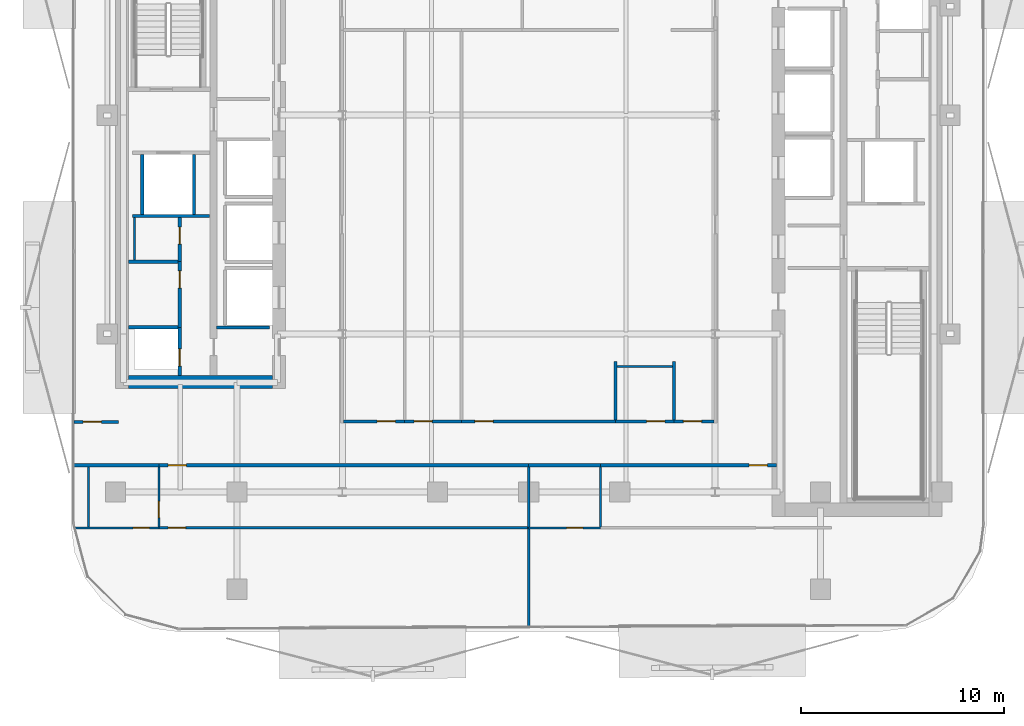
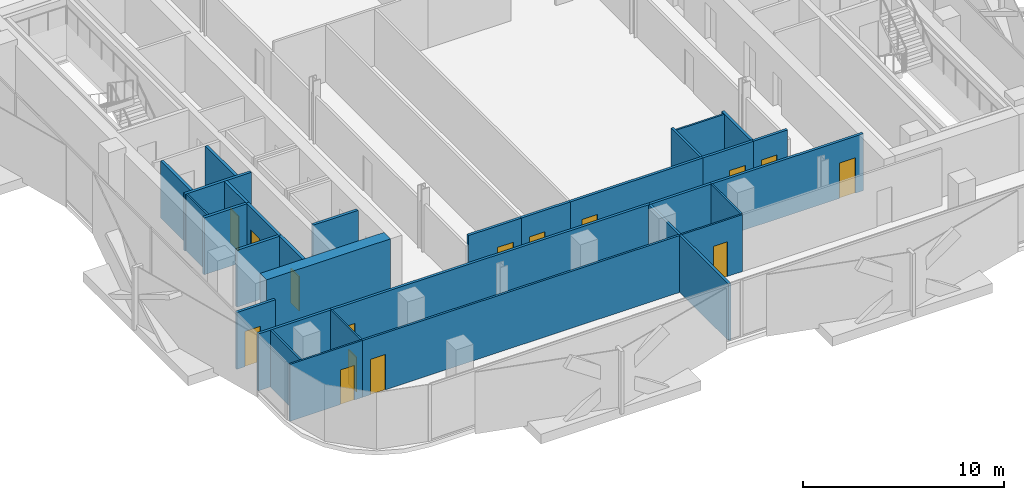
# One storey, part 3 of 17: 32 walls, 15 doors, 15 openings.
"""IFC4 building model written with IfcOpenShell, lengths in metres."""

from ifc_helpers import new_model, si_unit, direction, frame, frame_2d, origin, place, context, subcontext, project, spatial, rectangle, extrude, material, layer, layer_set, type_object, element, fill, save


model = new_model("IFC4")

# Units and contexts
model_context = context("Model", 3, precision=1e-05, world=origin(), true_north=direction((0.0, 1.0)))
body_context = subcontext(model_context, "Body", "Model", "MODEL_VIEW")
ifc_project = project(units=[si_unit("LENGTHUNIT", "METRE"), si_unit("AREAUNIT", "SQUARE_METRE"), si_unit("VOLUMEUNIT", "CUBIC_METRE"), si_unit("PLANEANGLEUNIT", "RADIAN"), si_unit("MASSUNIT", "GRAM", prefix="KILO")], contexts=[model_context])

# Site, building, storey
site_placement = place(None, origin())
site = spatial("IfcSite", under=ifc_project, at=site_placement, CompositionType="ELEMENT")
building_placement = place(site_placement, origin())
building = spatial("IfcBuilding", under=site, at=building_placement, Name="Khairoan Windgate Tower", CompositionType="ELEMENT")
storey_placement = place(building_placement, frame((0.0, 0.0, 210.60009765625)))
storey = spatial("IfcBuildingStorey", under=building, at=storey_placement, Name="L49", CompositionType="ELEMENT", Elevation=210.60009765625)

# Wall, opening, door
ifc_material_1 = material(Name="Moisture-Resistant Gypsum Partition", Category="gypsum")
ifc_layer_1 = layer(ifc_material_1, 0.10009765625, Name="Moisture-Resistant Gypsum Partition")
ifc_layer_set_1 = layer_set([ifc_layer_1], Name="Moisture-Resistant Gypsum Partition")
wall_type_1 = type_object("IfcWallType", Name="Bathroom Wet-Area Partition Wall", PredefinedType="PARTITIONING", material=ifc_layer_set_1)
wall_1_placement = place(storey_placement, frame((-18.260009765625, -20.320068359375, 0.0), z_axis=(0.0, 0.0, 1.0), x_axis=(0.0, 1.0, 0.0)))
wall_1 = element("IfcWall", 1, at=wall_1_placement, inside=storey, type_object=wall_type_1, Name="L49 Interior Partition 060", PredefinedType="PARTITIONING", context=body_context, shape_type="SweptSolid", body=[
    extrude(rectangle(XDim=2.965087890625, YDim=0.10009765625, at=frame_2d((1.482421875, 0.0))), origin(), (0.0, 0.0, 1.0), 3.449951171875),
])
opening_1_placement = place(wall_1_placement, frame((0.4599609375, 0.0, 0.0)))
opening_1 = element("IfcOpeningElement", 2, at=opening_1_placement, cuts=wall_1, Name="Opening ID-BTH", PredefinedType="OPENING", context=body_context, shape_type="SweptSolid", body=[
    extrude(rectangle(XDim=0.800048828125, YDim=2.10009765625, at=frame_2d((0.39990234375, 1.050048828125))), frame((0.0, 0.06005859375, 0.0), z_axis=(0.0, -1.0, 0.0), x_axis=(1.0, 0.0, 0.0)), (0.0, 0.0, 1.0), 0.1201171875),
])
ifc_material_2 = material(Name="Teak Veneer Timber Leaf", Category="wood")
door_type_1 = type_object("IfcDoorType", Name="Internal Bathroom Door ID-BTH 800x2100", OperationType="NOTDEFINED", PredefinedType="DOOR", material=ifc_material_2)
door_1_placement = place(opening_1_placement, origin())
door_1 = element("IfcDoor", 3, at=door_1_placement, inside=storey, type_object=door_type_1, Name="L49 L49-48-L49-49 Door", OperationType="SINGLE_SWING_LEFT", OverallHeight=2.10009765625, OverallWidth=0.800048828125, PredefinedType="DOOR", context=body_context, shape_type="SweptSolid", body=[
    extrude(rectangle(XDim=0.800048828125, YDim=2.10009765625, at=frame_2d((0.39990234375, 1.050048828125))), frame((0.0, 0.02490234375, 0.0), z_axis=(0.0, -1.0, 0.0), x_axis=(1.0, 0.0, 0.0)), (0.0, 0.0, 1.0), 0.050048828125),
])
fill(opening_1, door_1)

wall_2_placement = place(storey_placement, frame((-22.406982421875, -20.3701171875, 0.0), z_axis=(0.0, 0.0, 1.0), x_axis=(1.0, 0.0, 0.0)))
wall_2 = element("IfcWall", 4, at=wall_2_placement, inside=storey, type_object=wall_type_1, Name="L49 Interior Partition 061", PredefinedType="PARTITIONING", context=body_context, shape_type="SweptSolid", body=[
    extrude(rectangle(XDim=4.14697265625, YDim=0.10009765625, at=frame_2d((2.073486328125, 0.0))), origin(), (0.0, 0.0, 1.0), 3.449951171875),
])
opening_2_placement = place(wall_2_placement, frame((2.88720703125, 0.0, 0.0)))
opening_2 = element("IfcOpeningElement", 5, at=opening_2_placement, cuts=wall_2, Name="Opening ID-BTH", PredefinedType="OPENING", context=body_context, shape_type="SweptSolid", body=[
    extrude(rectangle(XDim=0.800048828125, YDim=2.10009765625, at=frame_2d((0.39990234375, 1.050048828125))), frame((0.0, 0.06005859375, 0.0), z_axis=(0.0, -1.0, 0.0), x_axis=(1.0, 0.0, 0.0)), (0.0, 0.0, 1.0), 0.1201171875),
])
door_2_placement = place(opening_2_placement, origin())
door_2 = element("IfcDoor", 6, at=door_2_placement, inside=storey, type_object=door_type_1, Name="L49 L49-48-L49-50 Door", OperationType="SINGLE_SWING_RIGHT", OverallHeight=2.10009765625, OverallWidth=0.800048828125, PredefinedType="DOOR", context=body_context, shape_type="SweptSolid", body=[
    extrude(rectangle(XDim=0.800048828125, YDim=2.10009765625, at=frame_2d((0.39990234375, 1.050048828125))), frame((0.0, 0.02490234375, 0.0), z_axis=(0.0, -1.0, 0.0), x_axis=(1.0, 0.0, 0.0)), (0.0, 0.0, 1.0), 0.050048828125),
])
fill(opening_2, door_2)

# Wall
wall_3_placement = place(storey_placement, frame((3.5400390625, -20.320068359375, 0.0), z_axis=(0.0, 0.0, 1.0), x_axis=(0.0, 1.0, 0.0)))
element("IfcWall", 7, at=wall_3_placement, inside=storey, type_object=wall_type_1, Name="L49 Interior Partition 065", PredefinedType="PARTITIONING", context=body_context, shape_type="SweptSolid", body=[
    extrude(rectangle(XDim=2.965087890625, YDim=0.10009765625, at=frame_2d((1.482421875, 0.0))), origin(), (0.0, 0.0, 1.0), 3.449951171875),
])

# Wall, opening, door
wall_4_placement = place(storey_placement, frame((0.0, -20.3701171875, 0.0), z_axis=(0.0, 0.0, 1.0), x_axis=(1.0, 0.0, 0.0)))
wall_4 = element("IfcWall", 8, at=wall_4_placement, inside=storey, type_object=wall_type_1, Name="L49 Interior Partition 066", PredefinedType="PARTITIONING", context=body_context, shape_type="SweptSolid", body=[
    extrude(rectangle(XDim=3.5400390625, YDim=0.10009765625, at=frame_2d((1.77001953125, 0.0))), origin(), (0.0, 0.0, 1.0), 3.449951171875),
])
opening_3_placement = place(wall_4_placement, frame((1.87548828125, 0.0, 0.0)))
opening_3 = element("IfcOpeningElement", 9, at=opening_3_placement, cuts=wall_4, Name="Opening ID-BTH", PredefinedType="OPENING", context=body_context, shape_type="SweptSolid", body=[
    extrude(rectangle(XDim=0.800048828125, YDim=2.10009765625, at=frame_2d((0.39990234375, 1.050048828125))), frame((0.0, 0.06005859375, 0.0), z_axis=(0.0, -1.0, 0.0), x_axis=(1.0, 0.0, 0.0)), (0.0, 0.0, 1.0), 0.1201171875),
])
door_3_placement = place(opening_3_placement, origin())
door_3 = element("IfcDoor", 10, at=door_3_placement, inside=storey, type_object=door_type_1, Name="L49 L49-51-L49-53 Door", OperationType="SINGLE_SWING_LEFT", OverallHeight=2.10009765625, OverallWidth=0.800048828125, PredefinedType="DOOR", context=body_context, shape_type="SweptSolid", body=[
    extrude(rectangle(XDim=0.800048828125, YDim=2.10009765625, at=frame_2d((0.39990234375, 1.050048828125))), frame((0.0, 0.02490234375, 0.0), z_axis=(0.0, -1.0, 0.0), x_axis=(1.0, 0.0, 0.0)), (0.0, 0.0, 1.0), 0.050048828125),
])
fill(opening_3, door_3)

# Walls
wall_5_placement = place(storey_placement, frame((-19.449951171875, -7.14990234375, 0.0), z_axis=(0.0, 0.0, 1.0), x_axis=(0.0, 1.0, 0.0)))
element("IfcWall", 11, at=wall_5_placement, inside=storey, type_object=wall_type_1, Name="L49 Wet Room Side Wall 069", PredefinedType="PARTITIONING", context=body_context, shape_type="SweptSolid", body=[
    extrude(rectangle(XDim=2.08984375, YDim=0.10009765625, at=frame_2d((1.044921875, 0.0))), origin(), (0.0, 0.0, 1.0), 3.449951171875),
])
wall_6_placement = place(storey_placement, frame((4.35009765625, -12.39990234375, 0.0), z_axis=(0.0, 0.0, 1.0), x_axis=(1.0, 0.0, 0.0)))
element("IfcWall", 12, at=wall_6_placement, inside=storey, type_object=wall_type_1, Name="L49 Wet Room Side Wall 071", PredefinedType="PARTITIONING", context=body_context, shape_type="SweptSolid", body=[
    extrude(rectangle(XDim=2.760009765625, YDim=0.10009765625, at=frame_2d((1.3798828125, 0.0))), origin(), (0.0, 0.0, 1.0), 3.449951171875),
])
wall_7_placement = place(storey_placement, frame((-21.719970703125, -20.320068359375, 0.0), z_axis=(0.0, 0.0, 1.0), x_axis=(0.0, 1.0, 0.0)))
element("IfcWall", 13, at=wall_7_placement, inside=storey, type_object=wall_type_1, Name="L49 Wet Room Side Wall 073", PredefinedType="PARTITIONING", context=body_context, shape_type="SweptSolid", body=[
    extrude(rectangle(XDim=2.965087890625, YDim=0.10009765625, at=frame_2d((1.482421875, 0.0))), origin(), (0.0, 0.0, 1.0), 3.449951171875),
])
ifc_material_3 = material(Name="Concrete C40/50", Category="concrete")
ifc_layer_2 = layer(ifc_material_3, 0.159912109375, Name="Concrete C40/50")
ifc_layer_set_2 = layer_set([ifc_layer_2], Name="Concrete C40/50")
wall_type_2 = type_object("IfcWallType", Name="Core and Hoistway Enclosure Wall", PredefinedType="STANDARD", material=ifc_layer_set_2)
wall_8_placement = place(storey_placement, frame((-19.550048828125, -4.97998046875, 0.0), z_axis=(0.0, 0.0, 1.0), x_axis=(1.0, 0.0, 0.0)))
element("IfcWall", 14, at=wall_8_placement, inside=storey, type_object=wall_type_2, Name="L49 Core Shaft Wall SW-FL2B-L49", PredefinedType="STANDARD", context=body_context, shape_type="SweptSolid", body=[
    extrude(rectangle(XDim=3.800048828125, YDim=0.159912109375, at=frame_2d((1.89990234375, 0.0))), origin(), (0.0, 0.0, 1.0), 3.449951171875),
])
for number, where, z_axis, x_axis, name in (
    (15, (-19.080078125, -4.89990234375, 0.0), (0.0, 0.0, 1.0), (0.0, 1.0, 0.0), "L49 Core Shaft Wall SW-FL2W-L49"),
    (16, (-16.52001953125, -4.89990234375, 0.0), (0.0, 0.0, 1.0), (0.0, 1.0, 0.0), "L49 Core Shaft Wall SW-FL2E-L49"),
):
    element("IfcWall", number, at=place(storey_placement, frame(where, z_axis=z_axis, x_axis=x_axis)), inside=storey, type_object=wall_type_2, Name=name, PredefinedType="STANDARD", context=body_context, shape_type="SweptSolid", body=[
        extrude(rectangle(XDim=2.9599609375, YDim=0.159912109375, at=frame_2d((1.47998046875, 0.0))), origin(), (0.0, 0.0, 1.0), 3.449951171875),
    ])
wall_9_placement = place(storey_placement, frame((-15.39990234375, -10.47998046875, 0.0), z_axis=(0.0, 0.0, 1.0), x_axis=(1.0, 0.0, 0.0)))
element("IfcWall", 17, at=wall_9_placement, inside=storey, type_object=wall_type_2, Name="L49 Core Shaft Wall SW-WSV-L49", PredefinedType="STANDARD", context=body_context, shape_type="SweptSolid", body=[
    extrude(rectangle(XDim=2.599853515625, YDim=0.159912109375, at=frame_2d((1.2998046875, 0.0))), origin(), (0.0, 0.0, 1.0), 3.449951171875),
])
ifc_material_4 = material(Name="Acoustic Fire-Rated Gypsum Partition", Category="gypsum")
ifc_layer_3 = layer(ifc_material_4, 0.139892578125, Name="Acoustic Fire-Rated Gypsum Partition")
ifc_layer_set_3 = layer_set([ifc_layer_3], Name="Acoustic Fire-Rated Gypsum Partition")
wall_type_3 = type_object("IfcWallType", Name="Inter-Tenancy Compartment Wall", PredefinedType="PARTITIONING", material=ifc_layer_set_3)
for number, where, z_axis, x_axis, name in (
    (18, (4.280029296875, -15.044921875, 0.0), (0.0, 0.0, 1.0), (0.0, 1.0, 0.0), "L49 Interior Partition 041"),
    (19, (7.179931640625, -15.044921875, 0.0), (0.0, 0.0, 1.0), (0.0, 1.0, 0.0), "L49 Interior Partition 044"),
):
    element("IfcWall", number, at=place(storey_placement, frame(where, z_axis=z_axis, x_axis=x_axis)), inside=storey, type_object=wall_type_3, Name=name, PredefinedType="PARTITIONING", context=body_context, shape_type="SweptSolid", body=[
        extrude(rectangle(XDim=2.885009765625, YDim=0.139892578125, at=frame_2d((1.4423828125, 0.0))), origin(), (0.0, 0.0, 1.0), 3.449951171875),
    ])
wall_10_placement = place(storey_placement, frame((0.0, -20.3701171875, 0.0), z_axis=(0.0, 0.0, 1.0), x_axis=(0.0, 1.0, 0.0)))
element("IfcWall", 20, at=wall_10_placement, inside=storey, type_object=wall_type_3, Name="L49 Interior Partition 063", PredefinedType="PARTITIONING", context=body_context, shape_type="SweptSolid", body=[
    extrude(rectangle(XDim=3.01513671875, YDim=0.139892578125, at=frame_2d((1.507568359375, 0.0))), origin(), (0.0, 0.0, 1.0), 3.449951171875),
])
wall_11_placement = place(storey_placement, frame((0.0, -25.269775390625, 0.0), z_axis=(0.0, 0.0, 1.0), x_axis=(0.0, 1.0, 0.0)))
element("IfcWall", 21, at=wall_11_placement, inside=storey, type_object=wall_type_3, Name="L49 Interior Partition 064", PredefinedType="PARTITIONING", context=body_context, shape_type="SweptSolid", body=[
    extrude(rectangle(XDim=4.899658203125, YDim=0.139892578125, at=frame_2d((2.44970703125, 0.0))), origin(), (0.0, 0.0, 1.0), 3.449951171875),
])

# Wall, opening, door
ifc_material_5 = material(Name="Gypsum Stud Partition", Category="gypsum")
ifc_layer_4 = layer(ifc_material_5, 0.1201171875, Name="Gypsum Stud Partition")
ifc_layer_set_4 = layer_set([ifc_layer_4], Name="Gypsum Stud Partition")
wall_type_4 = type_object("IfcWallType", Name="Internal Room Partition Wall", PredefinedType="PARTITIONING", material=ifc_layer_set_4)
wall_12_placement = place(storey_placement, frame((-18.260009765625, -20.3701171875, 0.0), z_axis=(0.0, 0.0, 1.0), x_axis=(1.0, 0.0, 0.0)))
wall_12 = element("IfcWall", 22, at=wall_12_placement, inside=storey, type_object=wall_type_4, Name="L49 Interior Partition 062", PredefinedType="PARTITIONING", context=body_context, shape_type="SweptSolid", body=[
    extrude(rectangle(XDim=18.260009765625, YDim=0.1201171875, at=frame_2d((9.1298828125, 0.0))), origin(), (0.0, 0.0, 1.0), 3.449951171875),
])
opening_4_placement = place(wall_12_placement, frame((0.4599609375, 0.0, 0.0)))
opening_4 = element("IfcOpeningElement", 23, at=opening_4_placement, cuts=wall_12, Name="Opening ID-RM", PredefinedType="OPENING", context=body_context, shape_type="SweptSolid", body=[
    extrude(rectangle(XDim=0.860107421875, YDim=2.14990234375, at=frame_2d((0.43017578125, 1.074951171875))), frame((0.0, 0.070068359375, 0.0), z_axis=(0.0, -1.0, 0.0), x_axis=(1.0, 0.0, 0.0)), (0.0, 0.0, 1.0), 0.14013671875),
])
ifc_material_6 = material(Name="Teak Veneer Timber Leaf", Category="wood")
door_type_2 = type_object("IfcDoorType", Name="Internal Bedroom and Office Door ID-RM 860x2150", OperationType="NOTDEFINED", PredefinedType="DOOR", material=ifc_material_6)
door_4_placement = place(opening_4_placement, origin())
door_4 = element("IfcDoor", 24, at=door_4_placement, inside=storey, type_object=door_type_2, Name="L49 L49-49-L49-50 Door", OperationType="SINGLE_SWING_LEFT", OverallHeight=2.14990234375, OverallWidth=0.860107421875, PredefinedType="DOOR", context=body_context, shape_type="SweptSolid", body=[
    extrude(rectangle(XDim=0.860107421875, YDim=2.14990234375, at=frame_2d((0.43017578125, 1.074951171875))), frame((0.0, 0.02490234375, 0.0), z_axis=(0.0, -1.0, 0.0), x_axis=(1.0, 0.0, 0.0)), (0.0, 0.0, 1.0), 0.050048828125),
])
fill(opening_4, door_4)

ifc_material_7 = material(Name="Concrete C40/50", Category="concrete")
ifc_layer_5 = layer(ifc_material_7, 0.159912109375, Name="Concrete C40/50")
ifc_layer_set_5 = layer_set([ifc_layer_5], Name="Concrete C40/50")
wall_type_5 = type_object("IfcWallType", Name="Plant and Refuge Compartment Wall", PredefinedType="PARTITIONING", material=ifc_layer_set_5)
wall_13_placement = place(storey_placement, frame((-17.22998046875, -12.85009765625, 0.0), z_axis=(0.0, 0.0, 1.0), x_axis=(0.0, 1.0, 0.0)))
wall_13 = element("IfcWall", 25, at=wall_13_placement, inside=storey, type_object=wall_type_5, Name="L49 Interior Partition 001", PredefinedType="PARTITIONING", context=body_context, shape_type="SweptSolid", body=[
    extrude(rectangle(XDim=2.380126953125, YDim=0.159912109375, at=frame_2d((1.18994140625, 0.0))), origin(), (0.0, 0.0, 1.0), 3.449951171875),
])
opening_5_placement = place(wall_13_placement, frame((0.4599609375, 0.0, 0.0)))
opening_5 = element("IfcOpeningElement", 26, at=opening_5_placement, cuts=wall_13, Name="Opening FD-SRV", PredefinedType="OPENING", context=body_context, shape_type="SweptSolid", body=[
    extrude(rectangle(XDim=0.85009765625, YDim=2.10009765625, at=frame_2d((0.425048828125, 1.050048828125))), frame((0.0, 0.08984375, 0.0), z_axis=(0.0, -1.0, 0.0), x_axis=(1.0, 0.0, 0.0)), (0.0, 0.0, 1.0), 0.179931640625),
])
ifc_material_8 = material(Name="Steel S355", Category="steel")
door_type_3 = type_object("IfcDoorType", Name="Core Service and Riser Fire Door FD-SRV 850x2100", OperationType="NOTDEFINED", PredefinedType="DOOR", material=ifc_material_8)
door_5_placement = place(opening_5_placement, origin())
door_5 = element("IfcDoor", 27, at=door_5_placement, inside=storey, type_object=door_type_3, Name="L49 L49-04-L49-05 Door", OperationType="SINGLE_SWING_RIGHT", OverallHeight=2.10009765625, OverallWidth=0.85009765625, PredefinedType="DOOR", context=body_context, shape_type="SweptSolid", body=[
    extrude(rectangle(XDim=0.85009765625, YDim=2.10009765625, at=frame_2d((0.425048828125, 1.050048828125))), frame((0.0, 0.02490234375, 0.0), z_axis=(0.0, -1.0, 0.0), x_axis=(1.0, 0.0, 0.0)), (0.0, 0.0, 1.0), 0.050048828125),
])
fill(opening_5, door_5)

wall_14_placement = place(storey_placement, frame((-17.22998046875, -7.22998046875, 0.0), z_axis=(0.0, 0.0, 1.0), x_axis=(0.0, 1.0, 0.0)))
wall_14 = element("IfcWall", 28, at=wall_14_placement, inside=storey, type_object=wall_type_5, Name="L49 Interior Partition 002", PredefinedType="PARTITIONING", context=body_context, shape_type="SweptSolid", body=[
    extrude(rectangle(XDim=2.169921875, YDim=0.159912109375, at=frame_2d((1.0849609375, 0.0))), origin(), (0.0, 0.0, 1.0), 3.449951171875),
])
opening_6_placement = place(wall_14_placement, frame((0.860107421875, 0.0, 0.0)))
opening_6 = element("IfcOpeningElement", 29, at=opening_6_placement, cuts=wall_14, Name="Opening FD-SRV", PredefinedType="OPENING", context=body_context, shape_type="SweptSolid", body=[
    extrude(rectangle(XDim=0.85009765625, YDim=2.10009765625, at=frame_2d((0.425048828125, 1.050048828125))), frame((0.0, 0.08984375, 0.0), z_axis=(0.0, -1.0, 0.0), x_axis=(1.0, 0.0, 0.0)), (0.0, 0.0, 1.0), 0.179931640625),
])
door_6_placement = place(opening_6_placement, origin())
door_6 = element("IfcDoor", 30, at=door_6_placement, inside=storey, type_object=door_type_3, Name="L49 L49-04-L49-06 Door", OperationType="SINGLE_SWING_LEFT", OverallHeight=2.10009765625, OverallWidth=0.85009765625, PredefinedType="DOOR", context=body_context, shape_type="SweptSolid", body=[
    extrude(rectangle(XDim=0.85009765625, YDim=2.10009765625, at=frame_2d((0.425048828125, 1.050048828125))), frame((0.0, 0.02490234375, 0.0), z_axis=(0.0, -1.0, 0.0), x_axis=(1.0, 0.0, 0.0)), (0.0, 0.0, 1.0), 0.050048828125),
])
fill(opening_6, door_6)

wall_15_placement = place(storey_placement, frame((-17.22998046875, -10.469970703125, 0.0), z_axis=(0.0, 0.0, 1.0), x_axis=(0.0, 1.0, 0.0)))
wall_15 = element("IfcWall", 31, at=wall_15_placement, inside=storey, type_object=wall_type_5, Name="L49 Interior Partition 003", PredefinedType="PARTITIONING", context=body_context, shape_type="SweptSolid", body=[
    extrude(rectangle(XDim=3.239990234375, YDim=0.159912109375, at=frame_2d((1.6201171875, 0.0))), origin(), (0.0, 0.0, 1.0), 3.449951171875),
])
opening_7_placement = place(wall_15_placement, frame((1.929931640625, 0.0, 0.0)))
opening_7 = element("IfcOpeningElement", 32, at=opening_7_placement, cuts=wall_15, Name="Opening FD-SRV", PredefinedType="OPENING", context=body_context, shape_type="SweptSolid", body=[
    extrude(rectangle(XDim=0.85009765625, YDim=2.10009765625, at=frame_2d((0.425048828125, 1.050048828125))), frame((0.0, 0.08984375, 0.0), z_axis=(0.0, -1.0, 0.0), x_axis=(1.0, 0.0, 0.0)), (0.0, 0.0, 1.0), 0.179931640625),
])
door_7_placement = place(opening_7_placement, origin())
door_7 = element("IfcDoor", 33, at=door_7_placement, inside=storey, type_object=door_type_3, Name="L49 L49-04-L49-07 Door", OperationType="SINGLE_SWING_RIGHT", OverallHeight=2.10009765625, OverallWidth=0.85009765625, PredefinedType="DOOR", context=body_context, shape_type="SweptSolid", body=[
    extrude(rectangle(XDim=0.85009765625, YDim=2.10009765625, at=frame_2d((0.425048828125, 1.050048828125))), frame((0.0, 0.02490234375, 0.0), z_axis=(0.0, -1.0, 0.0), x_axis=(1.0, 0.0, 0.0)), (0.0, 0.0, 1.0), 0.050048828125),
])
fill(opening_7, door_7)

# Walls
for number, where, z_axis, x_axis, name in (
    (34, (-19.75, -10.469970703125, 0.0), (0.0, 0.0, 1.0), (1.0, 0.0, 0.0), "L49 Interior Partition 004"),
    (35, (-19.75, -7.22998046875, 0.0), (0.0, 0.0, 1.0), (1.0, 0.0, 0.0), "L49 Interior Partition 005"),
):
    element("IfcWall", number, at=place(storey_placement, frame(where, z_axis=z_axis, x_axis=x_axis)), inside=storey, type_object=wall_type_5, Name=name, PredefinedType="PARTITIONING", context=body_context, shape_type="SweptSolid", body=[
        extrude(rectangle(XDim=2.43994140625, YDim=0.159912109375, at=frame_2d((1.219970703125, 0.0))), origin(), (0.0, 0.0, 1.0), 3.449951171875),
    ])

# Wall, opening, door
ifc_material_9 = material(Name="Acoustic Fire-Rated Gypsum Partition", Category="gypsum")
ifc_layer_6 = layer(ifc_material_9, 0.14990234375, Name="Acoustic Fire-Rated Gypsum Partition")
ifc_layer_set_6 = layer_set([ifc_layer_6], Name="Acoustic Fire-Rated Gypsum Partition")
wall_type_6 = type_object("IfcWallType", Name="Rated Corridor Partition Wall", PredefinedType="PARTITIONING", material=ifc_layer_set_6)
wall_16_placement = place(storey_placement, frame((-9.14501953125, -15.1201171875, 0.0), z_axis=(0.0, 0.0, 1.0), x_axis=(1.0, 0.0, 0.0)))
wall_16 = element("IfcWall", 36, at=wall_16_placement, inside=storey, type_object=wall_type_6, Name="L49 Interior Partition 027", PredefinedType="PARTITIONING", context=body_context, shape_type="SweptSolid", body=[
    extrude(rectangle(XDim=3.02490234375, YDim=0.14990234375, at=frame_2d((1.512451171875, 0.0))), origin(), (0.0, 0.0, 1.0), 3.449951171875),
])
opening_8_placement = place(wall_16_placement, frame((1.6650390625, 0.0, 0.0)))
opening_8 = element("IfcOpeningElement", 37, at=opening_8_placement, cuts=wall_16, Name="Opening FD-ENT", PredefinedType="OPENING", context=body_context, shape_type="SweptSolid", body=[
    extrude(rectangle(XDim=0.89990234375, YDim=2.14990234375, at=frame_2d((0.449951171875, 1.074951171875))), frame((0.0, 0.0849609375, 0.0), z_axis=(0.0, -1.0, 0.0), x_axis=(1.0, 0.0, 0.0)), (0.0, 0.0, 1.0), 0.169921875),
])
ifc_material_10 = material(Name="Timber Fire-Rated Core", Category="wood")
door_type_4 = type_object("IfcDoorType", Name="Unit and Office Fire Entrance Door FD-ENT 900x2150", OperationType="NOTDEFINED", PredefinedType="DOOR", material=ifc_material_10)
door_8_placement = place(opening_8_placement, origin())
door_8 = element("IfcDoor", 38, at=door_8_placement, inside=storey, type_object=door_type_4, Name="L49 L49-31-L49-32 Door", OperationType="SINGLE_SWING_RIGHT", OverallHeight=2.14990234375, OverallWidth=0.89990234375, PredefinedType="DOOR", context=body_context, shape_type="SweptSolid", body=[
    extrude(rectangle(XDim=0.89990234375, YDim=2.14990234375, at=frame_2d((0.449951171875, 1.074951171875))), frame((0.0, 0.02490234375, 0.0), z_axis=(0.0, -1.0, 0.0), x_axis=(1.0, 0.0, 0.0)), (0.0, 0.0, 1.0), 0.050048828125),
])
fill(opening_8, door_8)

wall_17_placement = place(storey_placement, frame((-6.1201171875, -15.1201171875, 0.0), z_axis=(0.0, 0.0, 1.0), x_axis=(1.0, 0.0, 0.0)))
wall_17 = element("IfcWall", 39, at=wall_17_placement, inside=storey, type_object=wall_type_6, Name="L49 Interior Partition 028", PredefinedType="PARTITIONING", context=body_context, shape_type="SweptSolid", body=[
    extrude(rectangle(XDim=2.800048828125, YDim=0.14990234375, at=frame_2d((1.39990234375, 0.0))), origin(), (0.0, 0.0, 1.0), 3.449951171875),
])
opening_9_placement = place(wall_17_placement, frame((0.4599609375, 0.0, 0.0)))
opening_9 = element("IfcOpeningElement", 40, at=opening_9_placement, cuts=wall_17, Name="Opening FD-ENT", PredefinedType="OPENING", context=body_context, shape_type="SweptSolid", body=[
    extrude(rectangle(XDim=0.89990234375, YDim=2.14990234375, at=frame_2d((0.449951171875, 1.074951171875))), frame((0.0, 0.0849609375, 0.0), z_axis=(0.0, -1.0, 0.0), x_axis=(1.0, 0.0, 0.0)), (0.0, 0.0, 1.0), 0.169921875),
])
door_9_placement = place(opening_9_placement, origin())
door_9 = element("IfcDoor", 41, at=door_9_placement, inside=storey, type_object=door_type_4, Name="L49 L49-31-L49-33 Door", OperationType="SINGLE_SWING_LEFT", OverallHeight=2.14990234375, OverallWidth=0.89990234375, PredefinedType="DOOR", context=body_context, shape_type="SweptSolid", body=[
    extrude(rectangle(XDim=0.89990234375, YDim=2.14990234375, at=frame_2d((0.449951171875, 1.074951171875))), frame((0.0, 0.02490234375, 0.0), z_axis=(0.0, -1.0, 0.0), x_axis=(1.0, 0.0, 0.0)), (0.0, 0.0, 1.0), 0.050048828125),
])
fill(opening_9, door_9)

wall_18_placement = place(storey_placement, frame((-3.320068359375, -15.1201171875, 0.0), z_axis=(0.0, 0.0, 1.0), x_axis=(1.0, 0.0, 0.0)))
wall_18 = element("IfcWall", 42, at=wall_18_placement, inside=storey, type_object=wall_type_6, Name="L49 Interior Partition 029", PredefinedType="PARTITIONING", context=body_context, shape_type="SweptSolid", body=[
    extrude(rectangle(XDim=7.60009765625, YDim=0.14990234375, at=frame_2d((3.800048828125, 0.0))), origin(), (0.0, 0.0, 1.0), 3.449951171875),
])
opening_10_placement = place(wall_18_placement, frame((0.66650390625, 0.0, 0.0)))
opening_10 = element("IfcOpeningElement", 43, at=opening_10_placement, cuts=wall_18, Name="Opening FD-ENT", PredefinedType="OPENING", context=body_context, shape_type="SweptSolid", body=[
    extrude(rectangle(XDim=0.89990234375, YDim=2.14990234375, at=frame_2d((0.449951171875, 1.074951171875))), frame((0.0, 0.0849609375, 0.0), z_axis=(0.0, -1.0, 0.0), x_axis=(1.0, 0.0, 0.0)), (0.0, 0.0, 1.0), 0.169921875),
])
door_10_placement = place(opening_10_placement, origin())
door_10 = element("IfcDoor", 44, at=door_10_placement, inside=storey, type_object=door_type_4, Name="L49 L49-31-L49-34 Door", OperationType="SINGLE_SWING_RIGHT", OverallHeight=2.14990234375, OverallWidth=0.89990234375, PredefinedType="DOOR", context=body_context, shape_type="SweptSolid", body=[
    extrude(rectangle(XDim=0.89990234375, YDim=2.14990234375, at=frame_2d((0.449951171875, 1.074951171875))), frame((0.0, 0.02490234375, 0.0), z_axis=(0.0, -1.0, 0.0), x_axis=(1.0, 0.0, 0.0)), (0.0, 0.0, 1.0), 0.050048828125),
])
fill(opening_10, door_10)

wall_19_placement = place(storey_placement, frame((4.280029296875, -15.1201171875, 0.0), z_axis=(0.0, 0.0, 1.0), x_axis=(1.0, 0.0, 0.0)))
wall_19 = element("IfcWall", 45, at=wall_19_placement, inside=storey, type_object=wall_type_6, Name="L49 Interior Partition 030", PredefinedType="PARTITIONING", context=body_context, shape_type="SweptSolid", body=[
    extrude(rectangle(XDim=2.89990234375, YDim=0.14990234375, at=frame_2d((1.449951171875, 0.0))), origin(), (0.0, 0.0, 1.0), 3.449951171875),
])
opening_11_placement = place(wall_19_placement, frame((1.5400390625, 0.0, 0.0)))
opening_11 = element("IfcOpeningElement", 46, at=opening_11_placement, cuts=wall_19, Name="Opening FD-ENT", PredefinedType="OPENING", context=body_context, shape_type="SweptSolid", body=[
    extrude(rectangle(XDim=0.89990234375, YDim=2.14990234375, at=frame_2d((0.449951171875, 1.074951171875))), frame((0.0, 0.0849609375, 0.0), z_axis=(0.0, -1.0, 0.0), x_axis=(1.0, 0.0, 0.0)), (0.0, 0.0, 1.0), 0.169921875),
])
door_11_placement = place(opening_11_placement, origin())
door_11 = element("IfcDoor", 47, at=door_11_placement, inside=storey, type_object=door_type_4, Name="L49 L49-31-L49-35 Door", OperationType="SINGLE_SWING_LEFT", OverallHeight=2.14990234375, OverallWidth=0.89990234375, PredefinedType="DOOR", context=body_context, shape_type="SweptSolid", body=[
    extrude(rectangle(XDim=0.89990234375, YDim=2.14990234375, at=frame_2d((0.449951171875, 1.074951171875))), frame((0.0, 0.02490234375, 0.0), z_axis=(0.0, -1.0, 0.0), x_axis=(1.0, 0.0, 0.0)), (0.0, 0.0, 1.0), 0.050048828125),
])
fill(opening_11, door_11)

wall_20_placement = place(storey_placement, frame((7.179931640625, -15.1201171875, 0.0), z_axis=(0.0, 0.0, 1.0), x_axis=(1.0, 0.0, 0.0)))
wall_20 = element("IfcWall", 48, at=wall_20_placement, inside=storey, type_object=wall_type_6, Name="L49 Interior Partition 031", PredefinedType="PARTITIONING", context=body_context, shape_type="SweptSolid", body=[
    extrude(rectangle(XDim=1.965087890625, YDim=0.14990234375, at=frame_2d((0.982421875, 0.0))), origin(), (0.0, 0.0, 1.0), 3.449951171875),
])
opening_12_placement = place(wall_20_placement, frame((0.4599609375, 0.0, 0.0)))
opening_12 = element("IfcOpeningElement", 49, at=opening_12_placement, cuts=wall_20, Name="Opening FD-ENT", PredefinedType="OPENING", context=body_context, shape_type="SweptSolid", body=[
    extrude(rectangle(XDim=0.89990234375, YDim=2.14990234375, at=frame_2d((0.449951171875, 1.074951171875))), frame((0.0, 0.0849609375, 0.0), z_axis=(0.0, -1.0, 0.0), x_axis=(1.0, 0.0, 0.0)), (0.0, 0.0, 1.0), 0.169921875),
])
door_12_placement = place(opening_12_placement, origin())
door_12 = element("IfcDoor", 50, at=door_12_placement, inside=storey, type_object=door_type_4, Name="L49 L49-31-L49-36 Door", OperationType="SINGLE_SWING_RIGHT", OverallHeight=2.14990234375, OverallWidth=0.89990234375, PredefinedType="DOOR", context=body_context, shape_type="SweptSolid", body=[
    extrude(rectangle(XDim=0.89990234375, YDim=2.14990234375, at=frame_2d((0.449951171875, 1.074951171875))), frame((0.0, 0.02490234375, 0.0), z_axis=(0.0, -1.0, 0.0), x_axis=(1.0, 0.0, 0.0)), (0.0, 0.0, 1.0), 0.050048828125),
])
fill(opening_12, door_12)

# Wall
wall_21_placement = place(storey_placement, frame((-22.455078125, -17.280029296875, 0.0), z_axis=(0.0, 0.0, 1.0), x_axis=(1.0, 0.0, 0.0)))
element("IfcWall", 51, at=wall_21_placement, inside=storey, type_object=wall_type_6, Name="L49 Interior Partition 032", PredefinedType="PARTITIONING", context=body_context, shape_type="SweptSolid", body=[
    extrude(rectangle(XDim=4.195068359375, YDim=0.14990234375, at=frame_2d((2.09765625, 0.0))), origin(), (0.0, 0.0, 1.0), 3.449951171875),
])

# Wall, opening, door
wall_22_placement = place(storey_placement, frame((-18.260009765625, -17.280029296875, 0.0), z_axis=(0.0, 0.0, 1.0), x_axis=(1.0, 0.0, 0.0)))
wall_22 = element("IfcWall", 52, at=wall_22_placement, inside=storey, type_object=wall_type_6, Name="L49 Interior Partition 033", PredefinedType="PARTITIONING", context=body_context, shape_type="SweptSolid", body=[
    extrude(rectangle(XDim=18.260009765625, YDim=0.14990234375, at=frame_2d((9.1298828125, 0.0))), origin(), (0.0, 0.0, 1.0), 3.449951171875),
])
opening_13_placement = place(wall_22_placement, frame((0.4599609375, 0.0, 0.0)))
opening_13 = element("IfcOpeningElement", 53, at=opening_13_placement, cuts=wall_22, Name="Opening FD-ENT", PredefinedType="OPENING", context=body_context, shape_type="SweptSolid", body=[
    extrude(rectangle(XDim=0.89990234375, YDim=2.14990234375, at=frame_2d((0.449951171875, 1.074951171875))), frame((0.0, 0.0849609375, 0.0), z_axis=(0.0, -1.0, 0.0), x_axis=(1.0, 0.0, 0.0)), (0.0, 0.0, 1.0), 0.169921875),
])
door_13_placement = place(opening_13_placement, origin())
door_13 = element("IfcDoor", 54, at=door_13_placement, inside=storey, type_object=door_type_4, Name="L49 L49-31-L49-49 Door", OperationType="SINGLE_SWING_LEFT", OverallHeight=2.14990234375, OverallWidth=0.89990234375, PredefinedType="DOOR", context=body_context, shape_type="SweptSolid", body=[
    extrude(rectangle(XDim=0.89990234375, YDim=2.14990234375, at=frame_2d((0.449951171875, 1.074951171875))), frame((0.0, 0.02490234375, 0.0), z_axis=(0.0, -1.0, 0.0), x_axis=(1.0, 0.0, 0.0)), (0.0, 0.0, 1.0), 0.050048828125),
])
fill(opening_13, door_13)

# Wall
wall_23_placement = place(storey_placement, frame((0.0, -17.280029296875, 0.0), z_axis=(0.0, 0.0, 1.0), x_axis=(1.0, 0.0, 0.0)))
element("IfcWall", 55, at=wall_23_placement, inside=storey, type_object=wall_type_6, Name="L49 Interior Partition 034", PredefinedType="PARTITIONING", context=body_context, shape_type="SweptSolid", body=[
    extrude(rectangle(XDim=3.5400390625, YDim=0.14990234375, at=frame_2d((1.77001953125, 0.0))), origin(), (0.0, 0.0, 1.0), 3.449951171875),
])

# Wall, opening, door
wall_24_placement = place(storey_placement, frame((3.5400390625, -17.280029296875, 0.0), z_axis=(0.0, 0.0, 1.0), x_axis=(1.0, 0.0, 0.0)))
wall_24 = element("IfcWall", 56, at=wall_24_placement, inside=storey, type_object=wall_type_6, Name="L49 Interior Partition 035", PredefinedType="PARTITIONING", context=body_context, shape_type="SweptSolid", body=[
    extrude(rectangle(XDim=8.699951171875, YDim=0.14990234375, at=frame_2d((4.35009765625, 0.0))), origin(), (0.0, 0.0, 1.0), 3.449951171875),
])
opening_14_placement = place(wall_24_placement, frame((7.340087890625, 0.0, 0.0)))
opening_14 = element("IfcOpeningElement", 57, at=opening_14_placement, cuts=wall_24, Name="Opening FD-ENT", PredefinedType="OPENING", context=body_context, shape_type="SweptSolid", body=[
    extrude(rectangle(XDim=0.89990234375, YDim=2.14990234375, at=frame_2d((0.449951171875, 1.074951171875))), frame((0.0, 0.0849609375, 0.0), z_axis=(0.0, -1.0, 0.0), x_axis=(1.0, 0.0, 0.0)), (0.0, 0.0, 1.0), 0.169921875),
])
door_14_placement = place(opening_14_placement, origin())
door_14 = element("IfcDoor", 58, at=door_14_placement, inside=storey, type_object=door_type_4, Name="L49 L49-31-L49-52 Door", OperationType="SINGLE_SWING_RIGHT", OverallHeight=2.14990234375, OverallWidth=0.89990234375, PredefinedType="DOOR", context=body_context, shape_type="SweptSolid", body=[
    extrude(rectangle(XDim=0.89990234375, YDim=2.14990234375, at=frame_2d((0.449951171875, 1.074951171875))), frame((0.0, 0.02490234375, 0.0), z_axis=(0.0, -1.0, 0.0), x_axis=(1.0, 0.0, 0.0)), (0.0, 0.0, 1.0), 0.050048828125),
])
fill(opening_14, door_14)

wall_25_placement = place(storey_placement, frame((-22.455078125, -15.139892578125, 0.0), z_axis=(0.0, 0.0, 1.0), x_axis=(1.0, 0.0, 0.0)))
wall_25 = element("IfcWall", 59, at=wall_25_placement, inside=storey, type_object=wall_type_6, Name="L49 Interior Partition 036", PredefinedType="PARTITIONING", context=body_context, shape_type="SweptSolid", body=[
    extrude(rectangle(XDim=2.215087890625, YDim=0.14990234375, at=frame_2d((1.107421875, 0.0))), origin(), (0.0, 0.0, 1.0), 3.449951171875),
])
opening_15_placement = place(wall_25_placement, frame((0.4599609375, 0.0, 0.0)))
opening_15 = element("IfcOpeningElement", 60, at=opening_15_placement, cuts=wall_25, Name="Opening FD-ENT", PredefinedType="OPENING", context=body_context, shape_type="SweptSolid", body=[
    extrude(rectangle(XDim=0.89990234375, YDim=2.14990234375, at=frame_2d((0.449951171875, 1.074951171875))), frame((0.0, 0.0849609375, 0.0), z_axis=(0.0, -1.0, 0.0), x_axis=(1.0, 0.0, 0.0)), (0.0, 0.0, 1.0), 0.169921875),
])
door_15_placement = place(opening_15_placement, origin())
door_15 = element("IfcDoor", 61, at=door_15_placement, inside=storey, type_object=door_type_4, Name="L49 L49-31-L49-55 Door", OperationType="SINGLE_SWING_LEFT", OverallHeight=2.14990234375, OverallWidth=0.89990234375, PredefinedType="DOOR", context=body_context, shape_type="SweptSolid", body=[
    extrude(rectangle(XDim=0.89990234375, YDim=2.14990234375, at=frame_2d((0.449951171875, 1.074951171875))), frame((0.0, 0.02490234375, 0.0), z_axis=(0.0, -1.0, 0.0), x_axis=(1.0, 0.0, 0.0)), (0.0, 0.0, 1.0), 0.050048828125),
])
fill(opening_15, door_15)

# Wall
ifc_material_11 = material(Name="Concrete C60/75", Category="concrete")
ifc_layer_7 = layer(ifc_material_11, 0.64990234375, Name="Concrete C60/75")
ifc_layer_set_7 = layer_set([ifc_layer_7], Name="Concrete C60/75")
wall_type_7 = type_object("IfcWallType", Name="Shear Wall CW-W2 650mm", PredefinedType="SHEAR", material=ifc_layer_set_7)
wall_26_placement = place(storey_placement, frame((-19.75, -13.175048828125, 0.0), z_axis=(0.0, 0.0, 1.0), x_axis=(1.0, 0.0, 0.0)))
element("IfcWall", 62, at=wall_26_placement, inside=storey, type_object=wall_type_7, Name="W Core South Shear Wall L49", PredefinedType="SHEAR", context=body_context, shape_type="SweptSolid", body=[
    extrude(rectangle(XDim=7.10009765625, YDim=0.64990234375, at=frame_2d((3.550048828125, 0.0))), origin(), (0.0, 0.0, 1.0), 3.449951171875),
])

save(model, "model.ifc")
